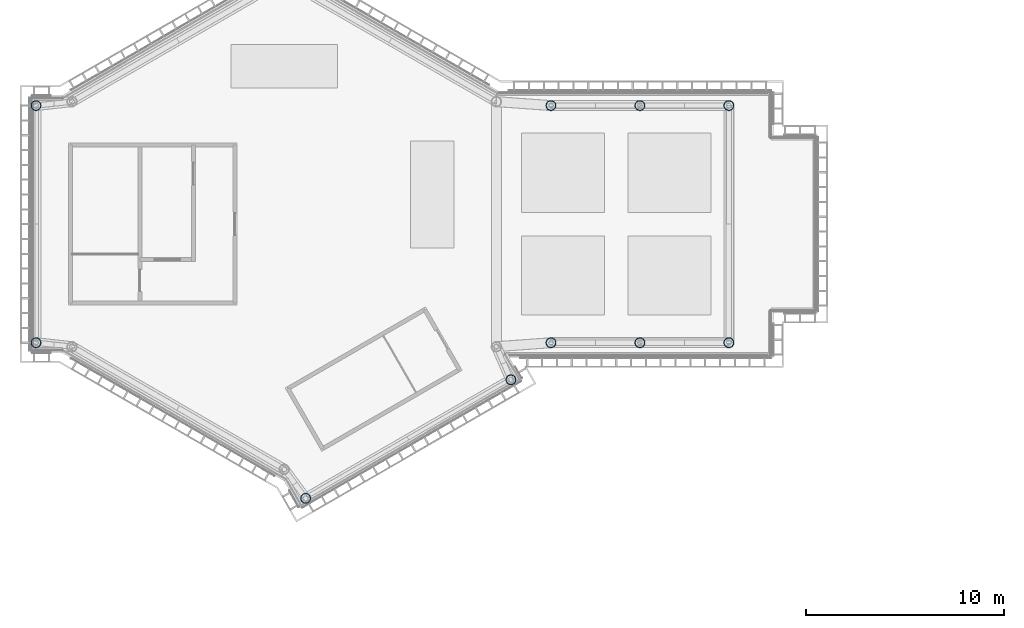
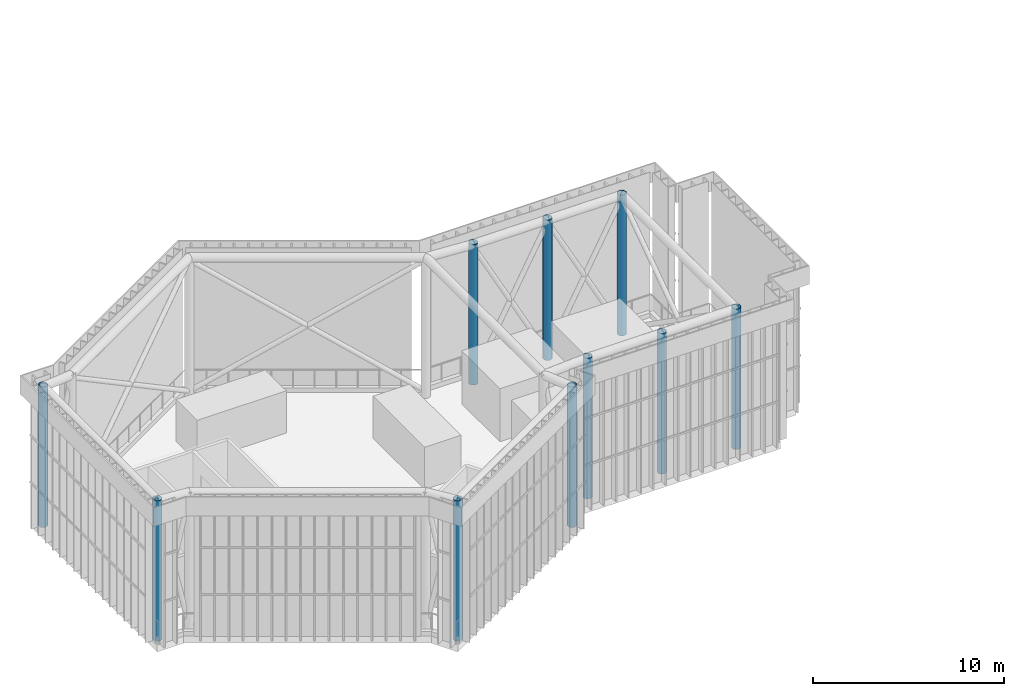
# One storey, part 1 of 17: 10 columns.
"""IFC4 building model written with IfcOpenShell, lengths in metres."""

from ifc_helpers import new_model, si_unit, direction, frame, origin, origin_2d, place, context, subcontext, project, spatial, hollow_circle, extrude, material, material_profile, profile_set, type_object, element, save


model = new_model("IFC4")

# Units and contexts
model_context = context("Model", 3, precision=1e-05, world=origin(), true_north=direction((0.0, 1.0)))
body_context = subcontext(model_context, "Body", "Model", "MODEL_VIEW")
ifc_project = project(units=[si_unit("LENGTHUNIT", "METRE"), si_unit("AREAUNIT", "SQUARE_METRE"), si_unit("VOLUMEUNIT", "CUBIC_METRE"), si_unit("PLANEANGLEUNIT", "RADIAN"), si_unit("MASSUNIT", "GRAM", prefix="KILO")], contexts=[model_context])

# Site, building, storey
site_placement = place(None, origin())
site = spatial("IfcSite", under=ifc_project, at=site_placement, CompositionType="ELEMENT")
building_placement = place(site_placement, origin())
building = spatial("IfcBuilding", under=site, at=building_placement, Name="Upepo Twin Towers", CompositionType="ELEMENT")
storey_placement = place(building_placement, frame((0.0, 0.0, 296.5)))
storey = spatial("IfcBuildingStorey", under=building, at=storey_placement, Name="RF", CompositionType="ELEMENT", Elevation=296.5)

# Columns
ifc_material = material(Name="Steel S355", Category="steel")
ifc_material_profile = material_profile(ifc_material, hollow_circle(Radius=0.25390625, WallThickness=0.02490234375, at=origin_2d()), Name="CHS 508.0x25.0")
ifc_profile_set = profile_set([ifc_material_profile], Name="Steel S355")
column_type = type_object("IfcColumnType", Name="Crown frame column CHS 508.0x25.0", PredefinedType="USERDEFINED", material=ifc_profile_set)
for number, where, z_axis, x_axis, name in (
    (1, (-12.558349609375, 6.0, 0.0), (0.0, 0.0, 1.0), (1.0, 0.0, 0.0), "T1 crown frame column E180a"),
    (2, (-12.558349609375, -6.0, 0.0), (0.0, 0.0, 1.0), (1.0, 0.0, 0.0), "T1 crown frame column E180b"),
    (3, (1.0830078125, -13.875732421875, 0.0), (0.0, 0.0, 1.0), (1.0, 0.0, 0.0), "T1 crown frame column E300a"),
    (4, (11.475341796875, -7.875732421875, 0.0), (0.0, 0.0, 1.0), (1.0, 0.0, 0.0), "T1 crown frame column E300b"),
    (5, (13.5, 6.0, 0.0), (0.0, 0.0, 1.0), (1.0, 0.0, 0.0), "T1 crown frame column AL135"),
    (6, (18.0, 6.0, 0.0), (0.0, 0.0, 1.0), (1.0, 0.0, 0.0), "T1 crown frame column AL180"),
    (7, (22.5, 6.0, 0.0), (0.0, 0.0, 1.0), (1.0, 0.0, 0.0), "T1 crown frame column AL225"),
    (8, (13.5, -6.0, 0.0), (0.0, 0.0, 1.0), (1.0, 0.0, 0.0), "T1 crown frame column AR135"),
    (9, (18.0, -6.0, 0.0), (0.0, 0.0, 1.0), (1.0, 0.0, 0.0), "T1 crown frame column AR180"),
    (10, (22.5, -6.0, 0.0), (0.0, 0.0, 1.0), (1.0, 0.0, 0.0), "T1 crown frame column AR225"),
):
    element("IfcColumn", number, at=place(storey_placement, frame(where, z_axis=z_axis, x_axis=x_axis)), inside=storey, type_object=column_type, Name=name, ObjectType="CROWN FRAME", PredefinedType="USERDEFINED", context=body_context, shape_type="SweptSolid", body=[
        extrude(hollow_circle(Radius=0.25390625, WallThickness=0.02490234375, at=origin_2d()), origin(), (0.0, 0.0, 1.0), 9.0),
    ])

save(model, "model.ifc")
